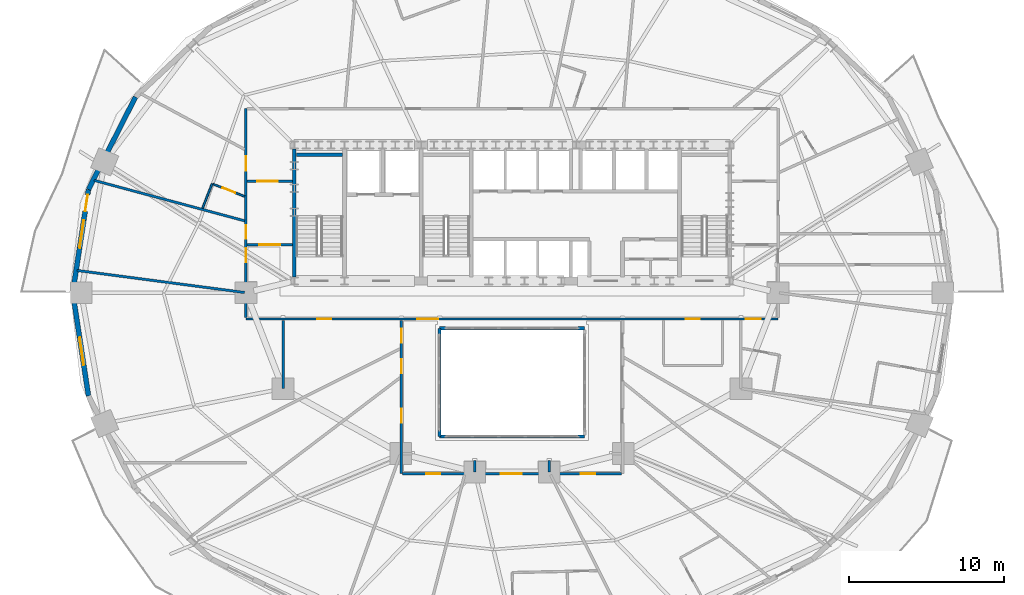
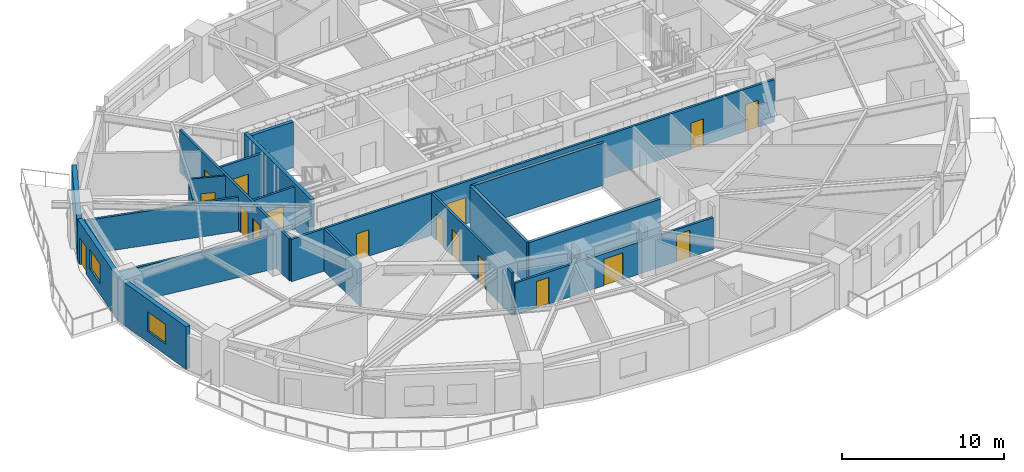
# One storey, part 8 of 15: 21 walls, 17 doors, 2 windows, 19 openings.
"""IFC4 building model written with IfcOpenShell, lengths in metres."""

from ifc_helpers import new_model, si_unit, direction, frame, frame_2d, origin, place, context, subcontext, project, spatial, rectangle, extrude, material, layer, layer_set, type_object, element, fill, save


model = new_model("IFC4")

# Units and contexts
model_context = context("Model", 3, precision=1e-05, world=origin(), true_north=direction((0.0, 1.0)))
body_context = subcontext(model_context, "Body", "Model", "MODEL_VIEW")
ifc_project = project(units=[si_unit("LENGTHUNIT", "METRE"), si_unit("AREAUNIT", "SQUARE_METRE"), si_unit("VOLUMEUNIT", "CUBIC_METRE"), si_unit("PLANEANGLEUNIT", "RADIAN"), si_unit("MASSUNIT", "GRAM", prefix="KILO")], contexts=[model_context])

# Site, building, storey
site_placement = place(None, origin())
site = spatial("IfcSite", under=ifc_project, at=site_placement, CompositionType="ELEMENT")
building_placement = place(site_placement, origin())
building = spatial("IfcBuilding", under=site, at=building_placement, Name="Haldorwick Loom Tower", CompositionType="ELEMENT")
storey_placement = place(building_placement, frame((0.0, 0.0, 81.800048828125)))
storey = spatial("IfcBuildingStorey", under=building, at=storey_placement, Name="L21", CompositionType="ELEMENT", Elevation=81.800048828125)

# Wall
ifc_material_1 = material(Name="Pressed Clay Face Brick and Insulated Masonry Backup Assembly", Category="masonry")
ifc_layer_1 = layer(ifc_material_1, 0.320068359375, Name="Pressed Clay Face Brick and Insulated Masonry Backup Assembly", Category="masonry")
ifc_layer_set_1 = layer_set([ifc_layer_1], Name="Pressed Clay Face Brick and Insulated Masonry Backup Assembly")
wall_type_1 = type_object("IfcWallType", Name="ARC-WL-EXT320", PredefinedType="STANDARD", material=ifc_layer_set_1)
wall_1_placement = place(storey_placement, frame((11.661376953125, 38.655517578125, 0.0), z_axis=(0.0, 0.0, 1.0), x_axis=(-0.453374078001, -0.89132033826, 0.0)))
element("IfcWall", 1, at=wall_1_placement, inside=storey, type_object=wall_type_1, Name="L21 Brick Pier and Spandrel Wall 11", PredefinedType="STANDARD", context=body_context, shape_type="SweptSolid", body=[
    extrude(rectangle(XDim=6.709716796875, YDim=0.320068359375, at=frame_2d((3.35498046875, 0.0))), origin(), (0.0, 0.0, 1.0), 2.56884765625),
])

# Wall, openings, door, window
wall_2_placement = place(storey_placement, frame((8.619384765625, 32.675048828125, 0.0), z_axis=(0.0, 0.0, 1.0), x_axis=(-0.150633288003, -0.988589708901, 0.0)))
wall_2 = element("IfcWall", 2, at=wall_2_placement, inside=storey, type_object=wall_type_1, Name="L21 Brick Pier and Spandrel Wall 12", PredefinedType="STANDARD", context=body_context, shape_type="SweptSolid", body=[
    extrude(rectangle(XDim=6.752197265625, YDim=0.320068359375, at=frame_2d((3.3759765625, 0.0))), origin(), (0.0, 0.0, 1.0), 3.2099609375),
])
opening_1_placement = place(wall_2_placement, frame((0.340087890625, 0.0, 0.0)))
opening_1 = element("IfcOpeningElement", 3, at=opening_1_placement, cuts=wall_2, Name="Opening D-BL11", PredefinedType="OPENING", context=body_context, shape_type="SweptSolid", body=[
    extrude(rectangle(XDim=1.080078125, YDim=2.0400390625, at=frame_2d((0.5400390625, 1.02001953125))), frame((0.0, 0.169921875, 0.0), z_axis=(0.0, -1.0, 0.0), x_axis=(1.0, 0.0, 0.0)), (0.0, 0.0, 1.0), 0.340087890625),
])
opening_2_placement = place(wall_2_placement, frame((2.02490234375, 0.0, 0.800048828125)))
opening_2 = element("IfcOpeningElement", 4, at=opening_2_placement, cuts=wall_2, Name="Opening W-01", PredefinedType="OPENING", context=body_context, shape_type="SweptSolid", body=[
    extrude(rectangle(XDim=1.800048828125, YDim=1.47998046875, at=frame_2d((0.89990234375, 0.739990234375))), frame((0.0, 0.169921875, 0.0), z_axis=(0.0, -1.0, 0.0), x_axis=(1.0, 0.0, 0.0)), (0.0, 0.0, 1.0), 0.340087890625),
])
ifc_material_2 = material(Name="Thermally Broken Anodized Aluminium Curtain Wall Framing", Category="aluminium")
door_type_1 = type_object("IfcDoorType", Name="ARC-DR-BAL110", OperationType="NOTDEFINED", PredefinedType="DOOR", material=ifc_material_2)
door_1_placement = place(opening_1_placement, origin())
door_1 = element("IfcDoor", 5, at=door_1_placement, inside=storey, type_object=door_type_1, Name="L21 Outdoor Terrace Door SLB-L21-BAL_WNW", OperationType="SINGLE_SWING_RIGHT", OverallHeight=2.0400390625, OverallWidth=1.080078125, PredefinedType="DOOR", context=body_context, shape_type="SweptSolid", body=[
    extrude(rectangle(XDim=1.080078125, YDim=2.0400390625, at=frame_2d((0.5400390625, 1.02001953125))), frame((0.0, 0.02490234375, 0.0), z_axis=(0.0, -1.0, 0.0), x_axis=(1.0, 0.0, 0.0)), (0.0, 0.0, 1.0), 0.050048828125),
])
fill(opening_1, door_1)
ifc_material_3 = material(Name="Triple-Glazed Low-E Argon Insulated Glazing Unit", Category="glass")
window_type = type_object("IfcWindowType", Name="ARC-WIN-W180", PartitioningType="SINGLE_PANEL", PredefinedType="WINDOW", material=ifc_material_3)
window_1_placement = place(opening_2_placement, origin())
window_1 = element("IfcWindow", 6, at=window_1_placement, inside=storey, type_object=window_type, Name="L21 Deep-Set Zone 7A Window 12", OverallHeight=1.47998046875, OverallWidth=1.800048828125, PartitioningType="SINGLE_PANEL", PredefinedType="WINDOW", context=body_context, shape_type="SweptSolid", body=[
    extrude(rectangle(XDim=1.800048828125, YDim=1.47998046875, at=frame_2d((0.89990234375, 0.739990234375))), frame((0.0, 0.030029296875, 0.0), z_axis=(0.0, -1.0, 0.0), x_axis=(1.0, 0.0, 0.0)), (0.0, 0.0, 1.0), 0.06005859375),
])
fill(opening_2, window_1)

# Wall, opening, window
wall_3_placement = place(storey_placement, frame((7.602294921875, 26.0, 0.0), z_axis=(0.0, 0.0, 1.0), x_axis=(0.150633288003, -0.988589708901, 0.0)))
wall_3 = element("IfcWall", 7, at=wall_3_placement, inside=storey, type_object=wall_type_1, Name="L21 Brick Pier and Spandrel Wall 13", PredefinedType="STANDARD", context=body_context, shape_type="SweptSolid", body=[
    extrude(rectangle(XDim=6.752197265625, YDim=0.320068359375, at=frame_2d((3.3759765625, 0.0))), origin(), (0.0, 0.0, 1.0), 3.2099609375),
])
opening_3_placement = place(wall_3_placement, frame((2.92724609375, 0.0, 0.800048828125)))
opening_3 = element("IfcOpeningElement", 8, at=opening_3_placement, cuts=wall_3, Name="Opening W-01", PredefinedType="OPENING", context=body_context, shape_type="SweptSolid", body=[
    extrude(rectangle(XDim=1.800048828125, YDim=1.47998046875, at=frame_2d((0.89990234375, 0.739990234375))), frame((0.0, 0.169921875, 0.0), z_axis=(0.0, -1.0, 0.0), x_axis=(1.0, 0.0, 0.0)), (0.0, 0.0, 1.0), 0.340087890625),
])
window_2_placement = place(opening_3_placement, origin())
window_2 = element("IfcWindow", 9, at=window_2_placement, inside=storey, type_object=window_type, Name="L21 Deep-Set Zone 7A Window 13", OverallHeight=1.47998046875, OverallWidth=1.800048828125, PartitioningType="SINGLE_PANEL", PredefinedType="WINDOW", context=body_context, shape_type="SweptSolid", body=[
    extrude(rectangle(XDim=1.800048828125, YDim=1.47998046875, at=frame_2d((0.89990234375, 0.739990234375))), frame((0.0, 0.030029296875, 0.0), z_axis=(0.0, -1.0, 0.0), x_axis=(1.0, 0.0, 0.0)), (0.0, 0.0, 1.0), 0.06005859375),
])
fill(opening_3, window_2)

# Wall, openings, doors
ifc_material_4 = material(Name="Fire-Rated Type X Gypsum Stud Assembly EI 60")
ifc_layer_2 = layer(ifc_material_4, 0.159912109375, Name="Fire-Rated Type X Gypsum Stud Assembly EI 60")
ifc_layer_set_2 = layer_set([ifc_layer_2], Name="Fire-Rated Type X Gypsum Stud Assembly EI 60")
wall_type_2 = type_object("IfcWallType", Name="ARC-WL-FIRE160", PredefinedType="PARTITIONING", material=ifc_layer_set_2)
wall_4_placement = place(storey_placement, frame((18.800048828125, 24.300048828125, 0.0), z_axis=(0.0, 0.0, 1.0), x_axis=(1.0, 0.0, 0.0)))
wall_4 = element("IfcWall", 10, at=wall_4_placement, inside=storey, type_object=wall_type_2, Name="L21 Residential Fire Partition L21-CR-SP", PredefinedType="PARTITIONING", context=body_context, shape_type="SweptSolid", body=[
    extrude(rectangle(XDim=34.39990234375, YDim=0.159912109375, at=frame_2d((17.199951171875, 0.0))), origin(), (0.0, 0.0, 1.0), 3.195068359375),
])
opening_4_placement = place(wall_4_placement, frame((11.085693359375, 0.0, 0.0)))
opening_4 = element("IfcOpeningElement", 11, at=opening_4_placement, cuts=wall_4, Name="Opening D-CR15", PredefinedType="OPENING", context=body_context, shape_type="SweptSolid", body=[
    extrude(rectangle(XDim=1.35009765625, YDim=2.0, at=frame_2d((0.675048828125, 1.0))), frame((0.0, 0.08984375, 0.0), z_axis=(0.0, -1.0, 0.0), x_axis=(1.0, 0.0, 0.0)), (0.0, 0.0, 1.0), 0.179931640625),
])
opening_5_placement = place(wall_4_placement, frame((4.621826171875, 0.0, 0.0)))
opening_5 = element("IfcOpeningElement", 12, at=opening_5_placement, cuts=wall_4, Name="Opening D-FD60A", PredefinedType="OPENING", context=body_context, shape_type="SweptSolid", body=[
    extrude(rectangle(XDim=0.89990234375, YDim=2.0, at=frame_2d((0.449951171875, 1.0))), frame((0.0, 0.08984375, 0.0), z_axis=(0.0, -1.0, 0.0), x_axis=(1.0, 0.0, 0.0)), (0.0, 0.0, 1.0), 0.179931640625),
])
opening_6_placement = place(wall_4_placement, frame((28.437255859375, 0.0, 0.0)))
opening_6 = element("IfcOpeningElement", 13, at=opening_6_placement, cuts=wall_4, Name="Opening D-FD60A", PredefinedType="OPENING", context=body_context, shape_type="SweptSolid", body=[
    extrude(rectangle(XDim=0.89990234375, YDim=2.0, at=frame_2d((0.449951171875, 1.0))), frame((0.0, 0.08984375, 0.0), z_axis=(0.0, -1.0, 0.0), x_axis=(1.0, 0.0, 0.0)), (0.0, 0.0, 1.0), 0.179931640625),
])
opening_7_placement = place(wall_4_placement, frame((32.319091796875, 0.0, 0.0)))
opening_7 = element("IfcOpeningElement", 14, at=opening_7_placement, cuts=wall_4, Name="Opening D-FL95", PredefinedType="OPENING", context=body_context, shape_type="SweptSolid", body=[
    extrude(rectangle(XDim=0.949951171875, YDim=2.0400390625, at=frame_2d((0.47509765625, 1.02001953125))), frame((0.0, 0.08984375, 0.0), z_axis=(0.0, -1.0, 0.0), x_axis=(1.0, 0.0, 0.0)), (0.0, 0.0, 1.0), 0.179931640625),
])
ifc_material_5 = material(Name="Thermally Broken Anodized Aluminium and Tempered Glass", Category="aluminium")
door_type_2 = type_object("IfcDoorType", Name="ARC-DR-COR150", OperationType="NOTDEFINED", PredefinedType="DOOR", material=ifc_material_5)
door_2_placement = place(opening_4_placement, origin())
door_2 = element("IfcDoor", 15, at=door_2_placement, inside=storey, type_object=door_type_2, Name="L21 L21 Central Residential Corridor to L21 South Atrium Corridor Door", OperationType="DOUBLE_DOOR_SINGLE_SWING", OverallHeight=2.0, OverallWidth=1.35009765625, PredefinedType="DOOR", context=body_context, shape_type="SweptSolid", body=[
    extrude(rectangle(XDim=1.35009765625, YDim=2.0, at=frame_2d((0.675048828125, 1.0))), frame((0.0, 0.02490234375, 0.0), z_axis=(0.0, -1.0, 0.0), x_axis=(1.0, 0.0, 0.0)), (0.0, 0.0, 1.0), 0.050048828125),
])
fill(opening_4, door_2)
ifc_material_6 = material(Name="Hollow Steel Fire Door Assembly", Category="steel")
door_type_3 = type_object("IfcDoorType", Name="ARC-DR-FD60-90", OperationType="NOTDEFINED", PredefinedType="DOOR", material=ifc_material_6)
door_3_placement = place(opening_5_placement, origin())
door_3 = element("IfcDoor", 16, at=door_3_placement, inside=storey, type_object=door_type_3, Name="L21 L21 Central Residential Corridor to Shared Resident Dining Hall 15 D", OperationType="SINGLE_SWING_RIGHT", OverallHeight=2.0, OverallWidth=0.89990234375, PredefinedType="DOOR", context=body_context, shape_type="SweptSolid", body=[
    extrude(rectangle(XDim=0.89990234375, YDim=2.0, at=frame_2d((0.449951171875, 1.0))), frame((0.0, 0.02490234375, 0.0), z_axis=(0.0, -1.0, 0.0), x_axis=(1.0, 0.0, 0.0)), (0.0, 0.0, 1.0), 0.050048828125),
])
fill(opening_5, door_3)
door_4_placement = place(opening_6_placement, origin())
door_4 = element("IfcDoor", 17, at=door_4_placement, inside=storey, type_object=door_type_3, Name="L21 L21 Central Residential Corridor to Common Accessible WC Door", OperationType="SINGLE_SWING_LEFT", OverallHeight=2.0, OverallWidth=0.89990234375, PredefinedType="DOOR", context=body_context, shape_type="SweptSolid", body=[
    extrude(rectangle(XDim=0.89990234375, YDim=2.0, at=frame_2d((0.449951171875, 1.0))), frame((0.0, 0.02490234375, 0.0), z_axis=(0.0, -1.0, 0.0), x_axis=(1.0, 0.0, 0.0)), (0.0, 0.0, 1.0), 0.050048828125),
])
fill(opening_6, door_4)
ifc_material_7 = material(Name="Solid Core Birch Architectural Door")
door_type_4 = type_object("IfcDoorType", Name="ARC-DR-FLAT95", OperationType="NOTDEFINED", PredefinedType="DOOR", material=ifc_material_7)
door_5_placement = place(opening_7_placement, origin())
door_5 = element("IfcDoor", 18, at=door_5_placement, inside=storey, type_object=door_type_4, Name="L21 L21 Central Residential Corridor to Unit 21B Kitchen and Living Room", OperationType="SINGLE_SWING_RIGHT", OverallHeight=2.0400390625, OverallWidth=0.949951171875, PredefinedType="DOOR", context=body_context, shape_type="SweptSolid", body=[
    extrude(rectangle(XDim=0.949951171875, YDim=2.0400390625, at=frame_2d((0.47509765625, 1.02001953125))), frame((0.0, 0.02490234375, 0.0), z_axis=(0.0, -1.0, 0.0), x_axis=(1.0, 0.0, 0.0)), (0.0, 0.0, 1.0), 0.050048828125),
])
fill(opening_7, door_5)

wall_5_placement = place(storey_placement, frame((18.800048828125, 24.383056640625, 0.0), z_axis=(0.0, 0.0, 1.0), x_axis=(0.0, 1.0, 0.0)))
wall_5 = element("IfcWall", 19, at=wall_5_placement, inside=storey, type_object=wall_type_2, Name="L21 Residential Fire Partition L21-CR-W0", PredefinedType="PARTITIONING", context=body_context, shape_type="SweptSolid", body=[
    extrude(rectangle(XDim=13.516845703125, YDim=0.159912109375, at=frame_2d((6.75830078125, 0.0))), origin(), (0.0, 0.0, 1.0), 3.195068359375),
])
opening_8_placement = place(wall_5_placement, frame((3.5908203125, 0.0, 0.0)))
opening_8 = element("IfcOpeningElement", 20, at=opening_8_placement, cuts=wall_5, Name="Opening D-FD60A", PredefinedType="OPENING", context=body_context, shape_type="SweptSolid", body=[
    extrude(rectangle(XDim=0.89990234375, YDim=2.0, at=frame_2d((0.449951171875, 1.0))), frame((0.0, 0.08984375, 0.0), z_axis=(0.0, -1.0, 0.0), x_axis=(1.0, 0.0, 0.0)), (0.0, 0.0, 1.0), 0.179931640625),
])
opening_9_placement = place(wall_5_placement, frame((9.49658203125, 0.0, 0.0)))
opening_9 = element("IfcOpeningElement", 21, at=opening_9_placement, cuts=wall_5, Name="Opening D-FL95", PredefinedType="OPENING", context=body_context, shape_type="SweptSolid", body=[
    extrude(rectangle(XDim=0.949951171875, YDim=2.0400390625, at=frame_2d((0.47509765625, 1.02001953125))), frame((0.0, 0.08984375, 0.0), z_axis=(0.0, -1.0, 0.0), x_axis=(1.0, 0.0, 0.0)), (0.0, 0.0, 1.0), 0.179931640625),
])
opening_10_placement = place(wall_5_placement, frame((5.08984375, 0.0, 0.0)))
opening_10 = element("IfcOpeningElement", 22, at=opening_10_placement, cuts=wall_5, Name="Opening D-FD60A", PredefinedType="OPENING", context=body_context, shape_type="SweptSolid", body=[
    extrude(rectangle(XDim=0.89990234375, YDim=2.0, at=frame_2d((0.449951171875, 1.0))), frame((0.0, 0.08984375, 0.0), z_axis=(0.0, -1.0, 0.0), x_axis=(1.0, 0.0, 0.0)), (0.0, 0.0, 1.0), 0.179931640625),
])
door_6_placement = place(opening_8_placement, frame((0.89990234375, 0.0, 0.0), z_axis=(0.0, 0.0, 1.0), x_axis=(-1.0, 0.0, 0.0)))
door_6 = element("IfcDoor", 23, at=door_6_placement, inside=storey, type_object=door_type_3, Name="L21 Shared Resident Dining Hall 11 to L21 Central Residential Corridor D", OperationType="SINGLE_SWING_RIGHT", OverallHeight=2.0, OverallWidth=0.89990234375, PredefinedType="DOOR", context=body_context, shape_type="SweptSolid", body=[
    extrude(rectangle(XDim=0.89990234375, YDim=2.0, at=frame_2d((0.449951171875, 1.0))), frame((0.0, 0.02490234375, 0.0), z_axis=(0.0, -1.0, 0.0), x_axis=(1.0, 0.0, 0.0)), (0.0, 0.0, 1.0), 0.050048828125),
])
fill(opening_8, door_6)
door_7_placement = place(opening_10_placement, frame((0.89990234375, 0.0, 0.0), z_axis=(0.0, 0.0, 1.0), x_axis=(-1.0, 0.0, 0.0)))
door_7 = element("IfcDoor", 24, at=door_7_placement, inside=storey, type_object=door_type_3, Name="L21 Shared Resident Dining Hall 11 to L21 West Residential Corridor Door", OperationType="SINGLE_SWING_RIGHT", OverallHeight=2.0, OverallWidth=0.89990234375, PredefinedType="DOOR", context=body_context, shape_type="SweptSolid", body=[
    extrude(rectangle(XDim=0.89990234375, YDim=2.0, at=frame_2d((0.449951171875, 1.0))), frame((0.0, 0.02490234375, 0.0), z_axis=(0.0, -1.0, 0.0), x_axis=(1.0, 0.0, 0.0)), (0.0, 0.0, 1.0), 0.050048828125),
])
fill(opening_10, door_7)
door_8_placement = place(opening_9_placement, frame((0.949951171875, 0.0, 0.0), z_axis=(0.0, 0.0, 1.0), x_axis=(-1.0, 0.0, 0.0)))
door_8 = element("IfcDoor", 25, at=door_8_placement, inside=storey, type_object=door_type_4, Name="L21 Unit 21L Kitchen and Studio Living Room to L21 North Residential Cor", OperationType="SINGLE_SWING_RIGHT", OverallHeight=2.0400390625, OverallWidth=0.949951171875, PredefinedType="DOOR", context=body_context, shape_type="SweptSolid", body=[
    extrude(rectangle(XDim=0.949951171875, YDim=2.0400390625, at=frame_2d((0.47509765625, 1.02001953125))), frame((0.0, 0.02490234375, 0.0), z_axis=(0.0, -1.0, 0.0), x_axis=(1.0, 0.0, 0.0)), (0.0, 0.0, 1.0), 0.050048828125),
])
fill(opening_9, door_8)

# Wall, opening, door
wall_6_placement = place(storey_placement, frame((18.883056640625, 29.10009765625, 0.0), z_axis=(0.0, 0.0, 1.0), x_axis=(1.0, 0.0, 0.0)))
wall_6 = element("IfcWall", 26, at=wall_6_placement, inside=storey, type_object=wall_type_2, Name="L21 Residential Fire Partition L21-CR-WSJ", PredefinedType="PARTITIONING", context=body_context, shape_type="SweptSolid", body=[
    extrude(rectangle(XDim=2.923828125, YDim=0.159912109375, at=frame_2d((1.4619140625, 0.0))), origin(), (0.0, 0.0, 1.0), 3.195068359375),
])
opening_11_placement = place(wall_6_placement, frame((0.787109375, 0.0, 0.0)))
opening_11 = element("IfcOpeningElement", 27, at=opening_11_placement, cuts=wall_6, Name="Opening D-CR15", PredefinedType="OPENING", context=body_context, shape_type="SweptSolid", body=[
    extrude(rectangle(XDim=1.35009765625, YDim=2.0, at=frame_2d((0.675048828125, 1.0))), frame((0.0, 0.08984375, 0.0), z_axis=(0.0, -1.0, 0.0), x_axis=(1.0, 0.0, 0.0)), (0.0, 0.0, 1.0), 0.179931640625),
])
door_9_placement = place(opening_11_placement, origin())
door_9 = element("IfcDoor", 28, at=door_9_placement, inside=storey, type_object=door_type_2, Name="L21 L21 West Residential Corridor to L21 Central Residential Corridor Do", OperationType="DOUBLE_DOOR_SINGLE_SWING", OverallHeight=2.0, OverallWidth=1.35009765625, PredefinedType="DOOR", context=body_context, shape_type="SweptSolid", body=[
    extrude(rectangle(XDim=1.35009765625, YDim=2.0, at=frame_2d((0.675048828125, 1.0))), frame((0.0, 0.02490234375, 0.0), z_axis=(0.0, -1.0, 0.0), x_axis=(1.0, 0.0, 0.0)), (0.0, 0.0, 1.0), 0.050048828125),
])
fill(opening_11, door_9)

wall_7_placement = place(storey_placement, frame((18.883056640625, 33.199951171875, 0.0), z_axis=(0.0, 0.0, 1.0), x_axis=(1.0, 0.0, 0.0)))
wall_7 = element("IfcWall", 29, at=wall_7_placement, inside=storey, type_object=wall_type_2, Name="L21 Residential Fire Partition L21-CR-WNJ", PredefinedType="PARTITIONING", context=body_context, shape_type="SweptSolid", body=[
    extrude(rectangle(XDim=2.923828125, YDim=0.159912109375, at=frame_2d((1.4619140625, 0.0))), origin(), (0.0, 0.0, 1.0), 3.195068359375),
])
opening_12_placement = place(wall_7_placement, frame((0.637939453125, 0.0, 0.0)))
opening_12 = element("IfcOpeningElement", 30, at=opening_12_placement, cuts=wall_7, Name="Opening D-CR15", PredefinedType="OPENING", context=body_context, shape_type="SweptSolid", body=[
    extrude(rectangle(XDim=1.35009765625, YDim=2.0, at=frame_2d((0.675048828125, 1.0))), frame((0.0, 0.08984375, 0.0), z_axis=(0.0, -1.0, 0.0), x_axis=(1.0, 0.0, 0.0)), (0.0, 0.0, 1.0), 0.179931640625),
])
door_10_placement = place(opening_12_placement, origin())
door_10 = element("IfcDoor", 31, at=door_10_placement, inside=storey, type_object=door_type_2, Name="L21 L21 North Residential Corridor to L21 West Residential Corridor Door", OperationType="DOUBLE_DOOR_SINGLE_SWING", OverallHeight=2.0, OverallWidth=1.35009765625, PredefinedType="DOOR", context=body_context, shape_type="SweptSolid", body=[
    extrude(rectangle(XDim=1.35009765625, YDim=2.0, at=frame_2d((0.675048828125, 1.0))), frame((0.0, 0.02490234375, 0.0), z_axis=(0.0, -1.0, 0.0), x_axis=(1.0, 0.0, 0.0)), (0.0, 0.0, 1.0), 0.050048828125),
])
fill(opening_12, door_10)

# Wall, openings, doors
wall_8_placement = place(storey_placement, frame((28.85009765625, 14.300048828125, 0.0), z_axis=(0.0, 0.0, 1.0), x_axis=(0.0, 1.0, 0.0)))
wall_8 = element("IfcWall", 32, at=wall_8_placement, inside=storey, type_object=wall_type_2, Name="L21 Residential Fire Partition L21-CR-AW", PredefinedType="PARTITIONING", context=body_context, shape_type="SweptSolid", body=[
    extrude(rectangle(XDim=9.9169921875, YDim=0.159912109375, at=frame_2d((4.95849609375, 0.0))), origin(), (0.0, 0.0, 1.0), 3.195068359375),
])
opening_13_placement = place(wall_8_placement, frame((3.306396484375, 0.0, 0.0)))
opening_13 = element("IfcOpeningElement", 33, at=opening_13_placement, cuts=wall_8, Name="Opening D-FD60A", PredefinedType="OPENING", context=body_context, shape_type="SweptSolid", body=[
    extrude(rectangle(XDim=0.89990234375, YDim=2.0, at=frame_2d((0.449951171875, 1.0))), frame((0.0, 0.08984375, 0.0), z_axis=(0.0, -1.0, 0.0), x_axis=(1.0, 0.0, 0.0)), (0.0, 0.0, 1.0), 0.179931640625),
])
opening_14_placement = place(wall_8_placement, frame((8.475341796875, 0.0, 0.0)))
opening_14 = element("IfcOpeningElement", 34, at=opening_14_placement, cuts=wall_8, Name="Opening D-FD60A", PredefinedType="OPENING", context=body_context, shape_type="SweptSolid", body=[
    extrude(rectangle(XDim=0.89990234375, YDim=2.0, at=frame_2d((0.449951171875, 1.0))), frame((0.0, 0.08984375, 0.0), z_axis=(0.0, -1.0, 0.0), x_axis=(1.0, 0.0, 0.0)), (0.0, 0.0, 1.0), 0.179931640625),
])
opening_15_placement = place(wall_8_placement, frame((6.491943359375, 0.0, 0.0)))
opening_15 = element("IfcOpeningElement", 35, at=opening_15_placement, cuts=wall_8, Name="Opening D-FD60A", PredefinedType="OPENING", context=body_context, shape_type="SweptSolid", body=[
    extrude(rectangle(XDim=0.89990234375, YDim=2.0, at=frame_2d((0.449951171875, 1.0))), frame((0.0, 0.08984375, 0.0), z_axis=(0.0, -1.0, 0.0), x_axis=(1.0, 0.0, 0.0)), (0.0, 0.0, 1.0), 0.179931640625),
])
door_11_placement = place(opening_13_placement, frame((0.89990234375, 0.0, 0.0), z_axis=(0.0, 0.0, 1.0), x_axis=(-1.0, 0.0, 0.0)))
door_11 = element("IfcDoor", 36, at=door_11_placement, inside=storey, type_object=door_type_3, Name="L21 Shared Resident Dining Hall 15 to L21 South Atrium Corridor Door", OperationType="SINGLE_SWING_RIGHT", OverallHeight=2.0, OverallWidth=0.89990234375, PredefinedType="DOOR", context=body_context, shape_type="SweptSolid", body=[
    extrude(rectangle(XDim=0.89990234375, YDim=2.0, at=frame_2d((0.449951171875, 1.0))), frame((0.0, 0.02490234375, 0.0), z_axis=(0.0, -1.0, 0.0), x_axis=(1.0, 0.0, 0.0)), (0.0, 0.0, 1.0), 0.050048828125),
])
fill(opening_13, door_11)
door_12_placement = place(opening_14_placement, frame((0.89990234375, 0.0, 0.0), z_axis=(0.0, 0.0, 1.0), x_axis=(-1.0, 0.0, 0.0)))
door_12 = element("IfcDoor", 37, at=door_12_placement, inside=storey, type_object=door_type_3, Name="L21 Shared Resident Dining Hall 15 to L21 South Atrium Corridor Door", OperationType="SINGLE_SWING_LEFT", OverallHeight=2.0, OverallWidth=0.89990234375, PredefinedType="DOOR", context=body_context, shape_type="SweptSolid", body=[
    extrude(rectangle(XDim=0.89990234375, YDim=2.0, at=frame_2d((0.449951171875, 1.0))), frame((0.0, 0.02490234375, 0.0), z_axis=(0.0, -1.0, 0.0), x_axis=(1.0, 0.0, 0.0)), (0.0, 0.0, 1.0), 0.050048828125),
])
fill(opening_14, door_12)
door_13_placement = place(opening_15_placement, frame((0.89990234375, 0.0, 0.0), z_axis=(0.0, 0.0, 1.0), x_axis=(-1.0, 0.0, 0.0)))
door_13 = element("IfcDoor", 38, at=door_13_placement, inside=storey, type_object=door_type_3, Name="L21 Shared Resident Dining Hall 10 to L21 South Atrium Corridor Door", OperationType="SINGLE_SWING_RIGHT", OverallHeight=2.0, OverallWidth=0.89990234375, PredefinedType="DOOR", context=body_context, shape_type="SweptSolid", body=[
    extrude(rectangle(XDim=0.89990234375, YDim=2.0, at=frame_2d((0.449951171875, 1.0))), frame((0.0, 0.02490234375, 0.0), z_axis=(0.0, -1.0, 0.0), x_axis=(1.0, 0.0, 0.0)), (0.0, 0.0, 1.0), 0.050048828125),
])
fill(opening_15, door_13)

wall_9_placement = place(storey_placement, frame((28.93310546875, 14.300048828125, 0.0), z_axis=(0.0, 0.0, 1.0), x_axis=(1.0, 0.0, 0.0)))
wall_9 = element("IfcWall", 39, at=wall_9_placement, inside=storey, type_object=wall_type_2, Name="L21 Residential Fire Partition L21-CR-AS", PredefinedType="PARTITIONING", context=body_context, shape_type="SweptSolid", body=[
    extrude(rectangle(XDim=14.1337890625, YDim=0.159912109375, at=frame_2d((7.06689453125, 0.0))), origin(), (0.0, 0.0, 1.0), 2.411865234375),
])
opening_16_placement = place(wall_9_placement, frame((6.3447265625, 0.0, 0.0)))
opening_16 = element("IfcOpeningElement", 40, at=opening_16_placement, cuts=wall_9, Name="Opening D-CR15", PredefinedType="OPENING", context=body_context, shape_type="SweptSolid", body=[
    extrude(rectangle(XDim=1.35009765625, YDim=2.0, at=frame_2d((0.675048828125, 1.0))), frame((0.0, 0.08984375, 0.0), z_axis=(0.0, -1.0, 0.0), x_axis=(1.0, 0.0, 0.0)), (0.0, 0.0, 1.0), 0.179931640625),
])
opening_17_placement = place(wall_9_placement, frame((11.5126953125, 0.0, 0.0)))
opening_17 = element("IfcOpeningElement", 41, at=opening_17_placement, cuts=wall_9, Name="Opening D-FL95", PredefinedType="OPENING", context=body_context, shape_type="SweptSolid", body=[
    extrude(rectangle(XDim=0.949951171875, YDim=2.0400390625, at=frame_2d((0.47509765625, 1.02001953125))), frame((0.0, 0.08984375, 0.0), z_axis=(0.0, -1.0, 0.0), x_axis=(1.0, 0.0, 0.0)), (0.0, 0.0, 1.0), 0.179931640625),
])
opening_18_placement = place(wall_9_placement, frame((1.53759765625, 0.0, 0.0)))
opening_18 = element("IfcOpeningElement", 42, at=opening_18_placement, cuts=wall_9, Name="Opening D-FD60A", PredefinedType="OPENING", context=body_context, shape_type="SweptSolid", body=[
    extrude(rectangle(XDim=0.89990234375, YDim=2.0, at=frame_2d((0.449951171875, 1.0))), frame((0.0, 0.08984375, 0.0), z_axis=(0.0, -1.0, 0.0), x_axis=(1.0, 0.0, 0.0)), (0.0, 0.0, 1.0), 0.179931640625),
])
door_14_placement = place(opening_16_placement, origin())
door_14 = element("IfcDoor", 43, at=door_14_placement, inside=storey, type_object=door_type_2, Name="L21 L21 South Atrium Corridor to Unit 21H Kitchen and Living Room Door", OperationType="DOUBLE_DOOR_SINGLE_SWING", OverallHeight=2.0, OverallWidth=1.35009765625, PredefinedType="DOOR", context=body_context, shape_type="SweptSolid", body=[
    extrude(rectangle(XDim=1.35009765625, YDim=2.0, at=frame_2d((0.675048828125, 1.0))), frame((0.0, 0.02490234375, 0.0), z_axis=(0.0, -1.0, 0.0), x_axis=(1.0, 0.0, 0.0)), (0.0, 0.0, 1.0), 0.050048828125),
])
fill(opening_16, door_14)
door_15_placement = place(opening_18_placement, origin())
door_15 = element("IfcDoor", 44, at=door_15_placement, inside=storey, type_object=door_type_3, Name="L21 L21 South Atrium Corridor to Co-Working Office 1 Door", OperationType="SINGLE_SWING_RIGHT", OverallHeight=2.0, OverallWidth=0.89990234375, PredefinedType="DOOR", context=body_context, shape_type="SweptSolid", body=[
    extrude(rectangle(XDim=0.89990234375, YDim=2.0, at=frame_2d((0.449951171875, 1.0))), frame((0.0, 0.02490234375, 0.0), z_axis=(0.0, -1.0, 0.0), x_axis=(1.0, 0.0, 0.0)), (0.0, 0.0, 1.0), 0.050048828125),
])
fill(opening_18, door_15)
door_16_placement = place(opening_17_placement, origin())
door_16 = element("IfcDoor", 45, at=door_16_placement, inside=storey, type_object=door_type_4, Name="L21 L21 South Atrium Corridor to Unit 21A Kitchen and Studio Living Room", OperationType="SINGLE_SWING_RIGHT", OverallHeight=2.0400390625, OverallWidth=0.949951171875, PredefinedType="DOOR", context=body_context, shape_type="SweptSolid", body=[
    extrude(rectangle(XDim=0.949951171875, YDim=2.0400390625, at=frame_2d((0.47509765625, 1.02001953125))), frame((0.0, 0.02490234375, 0.0), z_axis=(0.0, -1.0, 0.0), x_axis=(1.0, 0.0, 0.0)), (0.0, 0.0, 1.0), 0.050048828125),
])
fill(opening_17, door_16)

# Walls
wall_10_placement = place(storey_placement, frame((18.717041015625, 26.010986328125, 0.0), z_axis=(0.0, 0.0, 1.0), x_axis=(-0.991444783686, 0.130526782315, 0.0)))
element("IfcWall", 46, at=wall_10_placement, inside=storey, type_object=wall_type_2, Name="L21 Residential Fire Partition L21-ICR-12", PredefinedType="PARTITIONING", context=body_context, shape_type="SweptSolid", body=[
    extrude(rectangle(XDim=10.92333984375, YDim=0.159912109375, at=frame_2d((5.461669921875, 0.0))), origin(), (0.0, 0.0, 1.0), 2.56787109375),
])
for number, where, z_axis, x_axis, name in (
    (47, (38.39990234375, 15.14990234375, 0.0), (0.0, 0.0, 1.0), (0.0, -1.0, 0.0), "L21 Residential Fire Partition L21-ICA-06"),
    (48, (33.60009765625, 15.14990234375, 0.0), (0.0, 0.0, 1.0), (0.0, -1.0, 0.0), "L21 Residential Fire Partition L21-ICA-08"),
):
    element("IfcWall", number, at=place(storey_placement, frame(where, z_axis=z_axis, x_axis=x_axis)), inside=storey, type_object=wall_type_2, Name=name, PredefinedType="PARTITIONING", context=body_context, shape_type="SweptSolid", body=[
        extrude(rectangle(XDim=0.75, YDim=0.159912109375, at=frame_2d((0.375, 0.0))), origin(), (0.0, 0.0, 1.0), 3.195068359375),
    ])
wall_11_placement = place(storey_placement, frame((21.199951171875, 24.217041015625, 0.0), z_axis=(0.0, 0.0, 1.0), x_axis=(0.0, -1.0, 0.0)))
element("IfcWall", 49, at=wall_11_placement, inside=storey, type_object=wall_type_2, Name="L21 Residential Fire Partition L21-ICA-11", PredefinedType="PARTITIONING", context=body_context, shape_type="SweptSolid", body=[
    extrude(rectangle(XDim=4.4169921875, YDim=0.159912109375, at=frame_2d((2.20849609375, 0.0))), origin(), (0.0, 0.0, 1.0), 3.195068359375),
])
wall_12_placement = place(storey_placement, frame((18.717041015625, 30.645263671875, 0.0), z_axis=(0.0, 0.0, 1.0), x_axis=(-0.96573103827, 0.259544912727, 0.0)))
element("IfcWall", 50, at=wall_12_placement, inside=storey, type_object=wall_type_2, Name="L21 Suite Split Wall", PredefinedType="PARTITIONING", context=body_context, shape_type="SweptSolid", body=[
    extrude(rectangle(XDim=10.072509765625, YDim=0.159912109375, at=frame_2d((5.0361328125, 0.0))), origin(), (0.0, 0.0, 1.0), 2.56787109375),
])
ifc_material_8 = material(Name="Fire-Rated Type X Gypsum Stud Assembly EI 120")
ifc_layer_3 = layer(ifc_material_8, 0.199951171875, Name="Fire-Rated Type X Gypsum Stud Assembly EI 120")
ifc_layer_set_3 = layer_set([ifc_layer_3], Name="Fire-Rated Type X Gypsum Stud Assembly EI 120")
wall_type_3 = type_object("IfcWallType", Name="ARC-WL-FIRE200", PredefinedType="PARTITIONING", material=ifc_layer_set_3)
for number, where, z_axis, x_axis, name in (
    (51, (31.300048828125, 23.699951171875, 0.0), (0.0, 0.0, 1.0), (1.0, 0.0, 0.0), "L21 Atrium Fire Enclosure Wall N"),
    (52, (40.699951171875, 16.699951171875, 0.0), (0.0, 0.0, 1.0), (-1.0, 0.0, 0.0), "L21 Atrium Fire Enclosure Wall S"),
):
    element("IfcWall", number, at=place(storey_placement, frame(where, z_axis=z_axis, x_axis=x_axis)), inside=storey, type_object=wall_type_3, Name=name, PredefinedType="PARTITIONING", context=body_context, shape_type="SweptSolid", body=[
        extrude(rectangle(XDim=9.39990234375, YDim=0.199951171875, at=frame_2d((4.699951171875, 0.0))), origin(), (0.0, 0.0, 1.0), 3.195068359375),
    ])
wall_13_placement = place(storey_placement, frame((31.300048828125, 16.699951171875, 0.0), z_axis=(0.0, 0.0, 1.0), x_axis=(0.0, 1.0, 0.0)))
element("IfcWall", 53, at=wall_13_placement, inside=storey, type_object=wall_type_3, Name="L21 Atrium Fire Enclosure Wall W", PredefinedType="PARTITIONING", context=body_context, shape_type="SweptSolid", body=[
    extrude(rectangle(XDim=7.0, YDim=0.199951171875, at=frame_2d((3.5, 0.0))), origin(), (0.0, 0.0, 1.0), 3.195068359375),
])
ifc_material_9 = material(Name="Acoustic Gypsum Stud Assembly STC 55")
ifc_layer_4 = layer(ifc_material_9, 0.1201171875, Name="Acoustic Gypsum Stud Assembly STC 55")
ifc_layer_set_4 = layer_set([ifc_layer_4], Name="Acoustic Gypsum Stud Assembly STC 55")
wall_type_4 = type_object("IfcWallType", Name="ARC-WL-PART120", PredefinedType="PARTITIONING", material=ifc_layer_set_4)
wall_14_placement = place(storey_placement, frame((16.614013671875, 33.04443359375, 0.0), z_axis=(0.0, 0.0, 1.0), x_axis=(-0.364789511163, -0.931090013127, 0.0)))
element("IfcWall", 54, at=wall_14_placement, inside=storey, type_object=wall_type_4, Name="L21 Unit 21L Interior Partition", PredefinedType="PARTITIONING", context=body_context, shape_type="SweptSolid", body=[
    extrude(rectangle(XDim=1.698486328125, YDim=0.1201171875, at=frame_2d((0.84912109375, 0.0))), origin(), (0.0, 0.0, 1.0), 2.826904296875),
])

# Wall, opening, door
wall_15_placement = place(storey_placement, frame((18.717041015625, 32.220458984375, 0.0), z_axis=(0.0, 0.0, 1.0), x_axis=(-0.931083565295, 0.364805968203, 0.0)))
wall_15 = element("IfcWall", 55, at=wall_15_placement, inside=storey, type_object=wall_type_4, Name="L21 Unit 21L Interior Partition", PredefinedType="PARTITIONING", context=body_context, shape_type="SweptSolid", body=[
    extrude(rectangle(XDim=2.19580078125, YDim=0.1201171875, at=frame_2d((1.097900390625, 0.0))), origin(), (0.0, 0.0, 1.0), 3.195068359375),
])
opening_19_placement = place(wall_15_placement, frame((0.65771484375, 0.0, 0.0)))
opening_19 = element("IfcOpeningElement", 56, at=opening_19_placement, cuts=wall_15, Name="Opening D-BT88", PredefinedType="OPENING", context=body_context, shape_type="SweptSolid", body=[
    extrude(rectangle(XDim=0.8798828125, YDim=2.02001953125, at=frame_2d((0.43994140625, 1.010009765625))), frame((0.0, 0.070068359375, 0.0), z_axis=(0.0, -1.0, 0.0), x_axis=(1.0, 0.0, 0.0)), (0.0, 0.0, 1.0), 0.14013671875),
])
door_type_5 = type_object("IfcDoorType", Name="ARC-DR-BATH88", OperationType="NOTDEFINED", PredefinedType="DOOR", material=ifc_material_7)
door_17_placement = place(opening_19_placement, origin())
door_17 = element("IfcDoor", 57, at=door_17_placement, inside=storey, type_object=door_type_5, Name="L21 Unit 21L Bathroom to Unit 21L Kitchen and Studio Living Room Door", OperationType="SINGLE_SWING_LEFT", OverallHeight=2.02001953125, OverallWidth=0.8798828125, PredefinedType="DOOR", context=body_context, shape_type="SweptSolid", body=[
    extrude(rectangle(XDim=0.8798828125, YDim=2.02001953125, at=frame_2d((0.43994140625, 1.010009765625))), frame((0.0, 0.02490234375, 0.0), z_axis=(0.0, -1.0, 0.0), x_axis=(1.0, 0.0, 0.0)), (0.0, 0.0, 1.0), 0.050048828125),
])
fill(opening_19, door_17)

# Walls
ifc_material_10 = material(Name="Concrete C50 (50 MPa)", Category="concrete")
ifc_layer_5 = layer(ifc_material_10, 0.239990234375, Name="Concrete C50 (50 MPa)", Category="concrete")
ifc_layer_set_5 = layer_set([ifc_layer_5], Name="Concrete C50 (50 MPa)")
wall_type_5 = type_object("IfcWallType", Name="STR-WL-SHAFT240", PredefinedType="SHEAR", material=ifc_layer_set_5)
wall_16_placement = place(storey_placement, frame((21.929931640625, 35.297119140625, 0.0), z_axis=(0.0, 0.0, 1.0), x_axis=(0.0, -1.0, 0.0)))
element("IfcWall", 58, at=wall_16_placement, inside=storey, type_object=wall_type_5, Name="L21 Core Shear Wall W", PredefinedType="SHEAR", context=body_context, shape_type="SweptSolid", body=[
    extrude(rectangle(XDim=8.294189453125, YDim=0.239990234375, at=frame_2d((4.14697265625, 0.0))), origin(), (0.0, 0.0, 1.0), 3.449951171875),
])
wall_17_placement = place(storey_placement, frame((22.052978515625, 34.919921875, 0.0), z_axis=(0.0, 0.0, 1.0), x_axis=(1.0, 0.0, 0.0)))
element("IfcWall", 59, at=wall_17_placement, inside=storey, type_object=wall_type_5, Name="L21 Core Shear Wall 1N", PredefinedType="SHEAR", context=body_context, shape_type="SweptSolid", body=[
    extrude(rectangle(XDim=2.994140625, YDim=0.239990234375, at=frame_2d((1.4970703125, 0.0))), origin(), (0.0, 0.0, 1.0), 3.449951171875),
])

save(model, "model.ifc")
